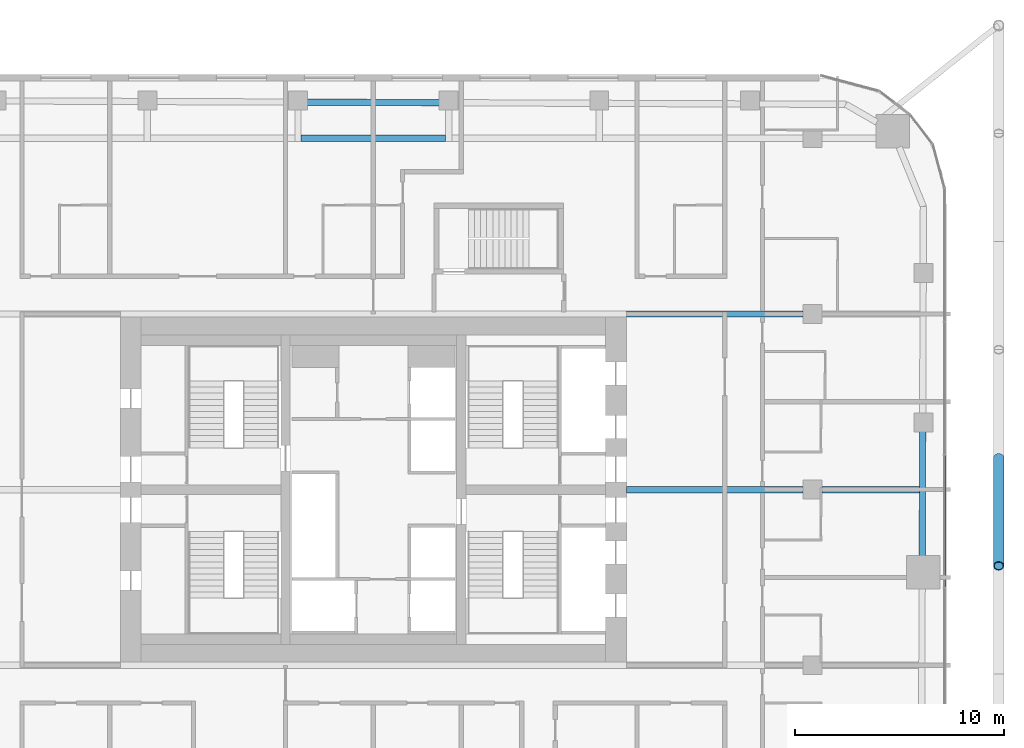
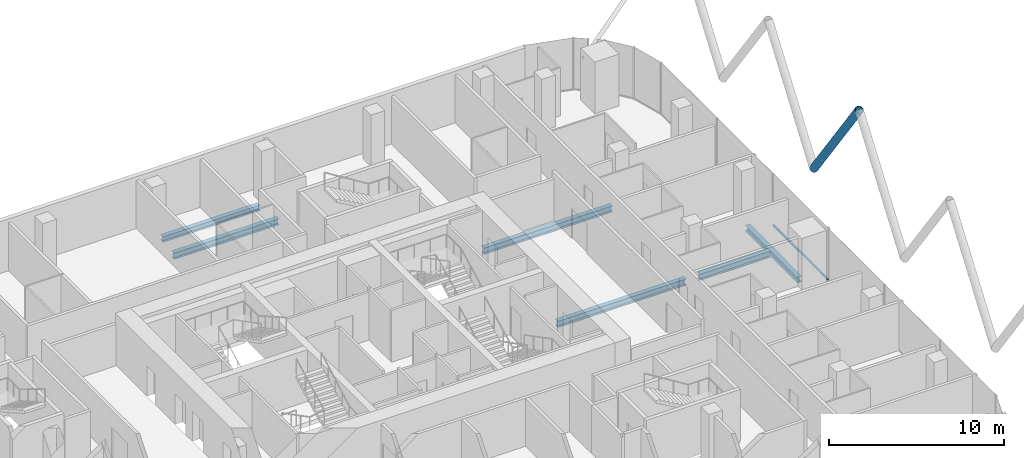
# One storey, part 12 of 33: 6 beams, 2 members, 1 element without a shape of its own.
"""IFC4 building model written with IfcOpenShell, lengths in metres."""

from ifc_helpers import new_model, si_unit, direction, frame, origin, origin_2d, place, context, subcontext, project, spatial, rectangle, hollow_circle, i_section, extrude, material, layer, layer_set, material_profile, profile_set, type_object, element, aggregate, save


model = new_model("IFC4")

# Units and contexts
model_context = context("Model", 3, precision=1e-05, world=origin(), true_north=direction((0.0, 1.0)))
body_context = subcontext(model_context, "Body", "Model", "MODEL_VIEW")
ifc_project = project(units=[si_unit("LENGTHUNIT", "METRE"), si_unit("AREAUNIT", "SQUARE_METRE"), si_unit("VOLUMEUNIT", "CUBIC_METRE"), si_unit("PLANEANGLEUNIT", "RADIAN"), si_unit("MASSUNIT", "GRAM", prefix="KILO")], contexts=[model_context])

# Site, building, storey
site_placement = place(None, origin())
site = spatial("IfcSite", under=ifc_project, at=site_placement, CompositionType="ELEMENT")
building_placement = place(site_placement, origin())
building = spatial("IfcBuilding", under=site, at=building_placement, Name="Marenta Gate Hotel Tower", CompositionType="ELEMENT")
storey_placement = place(building_placement, frame((0.0, 0.0, 137.300048828125)))
storey = spatial("IfcBuildingStorey", under=building, at=storey_placement, Name="L31", CompositionType="ELEMENT", Elevation=137.300048828125)

# Member
ifc_material_1 = material(Name="Steel S355J2W", Category="steel")
ifc_material_profile_1 = material_profile(ifc_material_1, hollow_circle(Radius=0.25390625, WallThickness=0.0400390625, at=origin_2d()), Name="CHS 508x40")
ifc_profile_set_1 = profile_set([ifc_material_profile_1], Name="Steel S355J2W")
member_type_1 = type_object("IfcMemberType", Name="Diagrid diagonal Z2 CHS 508x40", PredefinedType="BRACE", material=ifc_profile_set_1)
member_1_placement = place(storey_placement, frame((29.89990234375, 9.919921875, 3.139892578125), z_axis=(0.0, -0.583260841117, 0.812284919975), x_axis=(1.0, 0.0, 0.0)))
element("IfcMember", 1, at=member_1_placement, inside=storey, type_object=member_type_1, Name="L31-DG-5", PredefinedType="BRACE", context=body_context, shape_type="SweptSolid", body=[
    extrude(hollow_circle(Radius=0.25390625, WallThickness=0.0400390625, at=origin_2d()), origin(), (0.0, 0.0, 1.0), 8.86376953125),
])

# Beams
ifc_material_2 = material(Name="Steel S355", Category="steel")
ifc_material_profile_2 = material_profile(ifc_material_2, i_section(OverallWidth=0.300048828125, OverallDepth=0.39990234375, WebThickness=0.013427734375, FlangeThickness=0.02392578125, FilletRadius=0.027099609375, at=origin_2d()), Name="HEB 400")
ifc_profile_set_2 = profile_set([ifc_material_profile_2], Name="Steel S355")
beam_type_1 = type_object("IfcBeamType", Name="Edge beam HEB 400", PredefinedType="SPANDREL", material=ifc_profile_set_2)
beam_1_placement = place(storey_placement, frame((-3.19140625, 26.926513671875, -0.4599609375), z_axis=(0.999991624938, -0.004092682982, 0.0), x_axis=(0.004092682982, 0.999991624938, 0.0)))
element("IfcBeam", 2, at=beam_1_placement, inside=storey, type_object=beam_type_1, Name="L31-EB-16", PredefinedType="SPANDREL", context=body_context, shape_type="SweptSolid", body=[
    extrude(i_section(OverallWidth=0.300048828125, OverallDepth=0.39990234375, WebThickness=0.013427734375, FlangeThickness=0.02392578125, FilletRadius=0.027099609375, at=origin_2d()), origin(), (0.0, 0.0, 1.0), 6.3828125),
])
beam_2_placement = place(storey_placement, frame((26.26416015625, 11.193115234375, -0.4599609375), z_axis=(-0.003305160059, -0.999994537944, 0.0), x_axis=(0.999994537944, -0.003305160059, 0.0)))
element("IfcBeam", 3, at=beam_2_placement, inside=storey, type_object=beam_type_1, Name="L31-EB-24", PredefinedType="SPANDREL", context=body_context, shape_type="SweptSolid", body=[
    extrude(i_section(OverallWidth=0.300048828125, OverallDepth=0.39990234375, WebThickness=0.013427734375, FlangeThickness=0.02392578125, FilletRadius=0.027099609375, at=origin_2d()), origin(), (0.0, 0.0, 1.0), 5.983154296875),
])
ifc_material_3 = material(Name="Steel S355", Category="steel")
ifc_material_profile_3 = material_profile(ifc_material_3, i_section(OverallWidth=0.300048828125, OverallDepth=0.449951171875, WebThickness=0.013916015625, FlangeThickness=0.02587890625, FilletRadius=0.027099609375, at=origin_2d()), Name="HEB 450")
ifc_profile_set_3 = profile_set([ifc_material_profile_3], Name="Steel S355")
beam_type_2 = type_object("IfcBeamType", Name="Girder HEB 450", PredefinedType="BEAM", material=ifc_profile_set_3)
beam_3_placement = place(storey_placement, frame((12.10009765625, 8.39990234375, -0.485107421875), z_axis=(1.0, 0.0, 0.0), x_axis=(0.0, 1.0, 0.0)))
element("IfcBeam", 4, at=beam_3_placement, inside=storey, type_object=beam_type_2, Name="L31-GD-22", PredefinedType="BEAM", context=body_context, shape_type="SweptSolid", body=[
    extrude(i_section(OverallWidth=0.300048828125, OverallDepth=0.449951171875, WebThickness=0.013916015625, FlangeThickness=0.02587890625, FilletRadius=0.027099609375, at=origin_2d()), origin(), (0.0, 0.0, 1.0), 8.449951171875),
])
beam_4_placement = place(storey_placement, frame((21.449951171875, 8.39990234375, -0.485107421875), z_axis=(1.0, 0.0, 0.0), x_axis=(0.0, 1.0, 0.0)))
element("IfcBeam", 5, at=beam_4_placement, inside=storey, type_object=beam_type_2, Name="L31-GD-23", PredefinedType="BEAM", context=body_context, shape_type="SweptSolid", body=[
    extrude(i_section(OverallWidth=0.300048828125, OverallDepth=0.449951171875, WebThickness=0.013916015625, FlangeThickness=0.02587890625, FilletRadius=0.027099609375, at=origin_2d()), origin(), (0.0, 0.0, 1.0), 4.655029296875),
])
beam_5_placement = place(storey_placement, frame((12.10009765625, 16.800048828125, -0.485107421875), z_axis=(1.0, 0.0, 0.0), x_axis=(0.0, 1.0, 0.0)))
element("IfcBeam", 6, at=beam_5_placement, inside=storey, type_object=beam_type_2, Name="L31-GD-27", PredefinedType="BEAM", context=body_context, shape_type="SweptSolid", body=[
    extrude(i_section(OverallWidth=0.300048828125, OverallDepth=0.449951171875, WebThickness=0.013916015625, FlangeThickness=0.02587890625, FilletRadius=0.027099609375, at=origin_2d()), origin(), (0.0, 0.0, 1.0), 8.449951171875),
])
beam_6_placement = place(storey_placement, frame((-3.451416015625, 25.199951171875, -0.485107421875), z_axis=(1.0, 0.0, 0.0), x_axis=(0.0, 1.0, 0.0)))
element("IfcBeam", 7, at=beam_6_placement, inside=storey, type_object=beam_type_2, Name="L31-GD-32", PredefinedType="BEAM", context=body_context, shape_type="SweptSolid", body=[
    extrude(i_section(OverallWidth=0.300048828125, OverallDepth=0.449951171875, WebThickness=0.013916015625, FlangeThickness=0.02587890625, FilletRadius=0.027099609375, at=origin_2d()), origin(), (0.0, 0.0, 1.0), 6.90283203125),
])

# Curtain wall, member
ifc_material_4 = material(Name="Tinted insulated glass in bronze anodised frame", Category="glass")
ifc_layer = layer(ifc_material_4, 0.1201171875)
ifc_layer_set = layer_set([ifc_layer], Name="Tinted insulated glass in bronze anodised frame")
curtain_wall_type = type_object("IfcCurtainWallType", Name="Tower unitised curtain wall CW1", PredefinedType="NOTDEFINED", material=ifc_layer_set)
curtain_wall_placement = place(storey_placement, origin())
curtain_wall = element("IfcCurtainWall", 8, at=curtain_wall_placement, inside=storey, type_object=curtain_wall_type, Name="CW1 run G19", PredefinedType="NOTDEFINED")
ifc_material_5 = material(Name="Bronze anodised aluminium", Category="aluminium")
ifc_material_profile_4 = material_profile(ifc_material_5, rectangle(XDim=0.1201171875, YDim=0.06005859375, at=origin_2d()), Name="Transom CW1 60x120 bronze anodised aluminium")
ifc_profile_set_4 = profile_set([ifc_material_profile_4], Name="Bronze anodised aluminium")
member_type_2 = type_object("IfcMemberType", Name="Transom CW1 60x120 bronze anodised aluminium", PredefinedType="USERDEFINED", material=ifc_profile_set_4)
member_2_placement = place(storey_placement, frame((27.31396484375, 3.741943359375, 0.030029296875), z_axis=(0.0, 1.0, 0.0), x_axis=(-1.0, 0.0, 0.0)))
member_2 = element("IfcMember", 9, at=member_2_placement, type_object=member_type_2, Name="CW1 transom 4.1", ObjectType="TRANSOM", PredefinedType="USERDEFINED", context=body_context, shape_type="SweptSolid", body=[
    extrude(rectangle(XDim=0.1201171875, YDim=0.06005859375, at=origin_2d()), origin(), (0.0, 0.0, 1.0), 6.300048828125),
])
aggregate(curtain_wall, [member_2])

save(model, "model.ifc")
